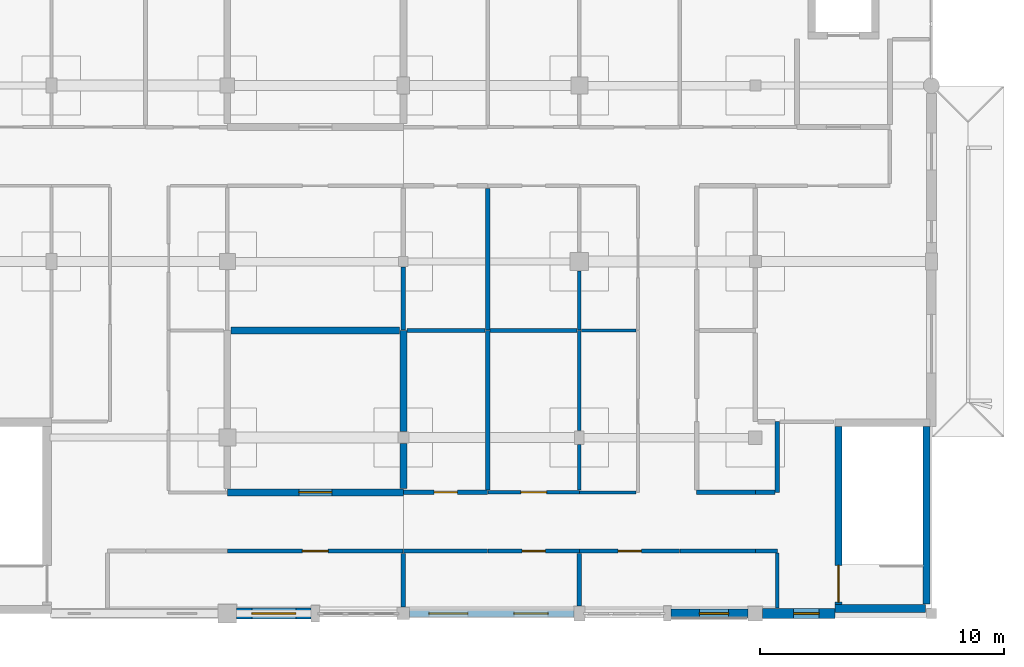
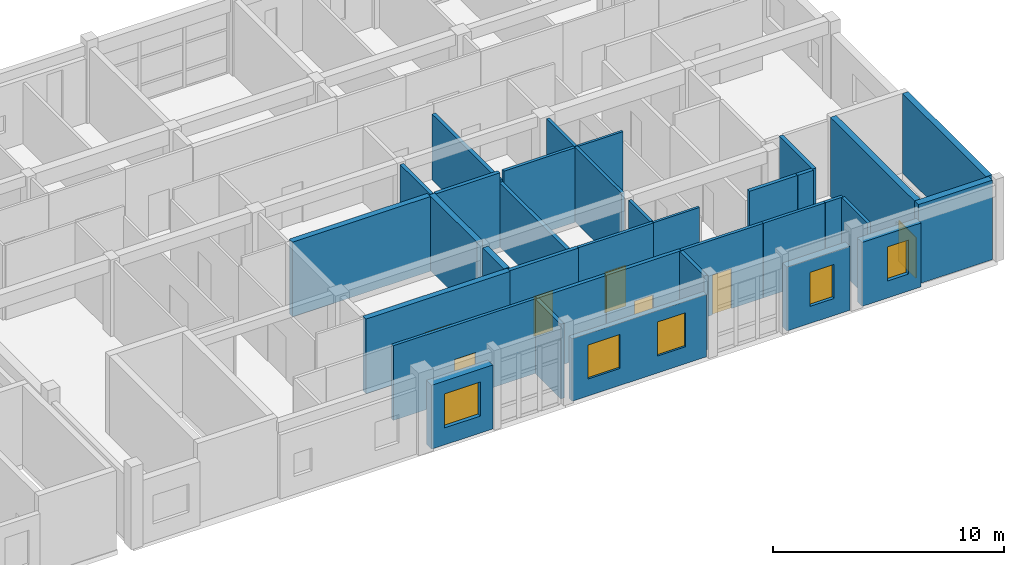
# One storey, part 92 of 110: 35 walls, 7 doors, 5 windows, 12 openings.
"""IFC4 building model written with IfcOpenShell, lengths in metres."""

from ifc_helpers import new_model, si_unit, direction, frame, frame_2d, origin, place, context, subcontext, project, spatial, rectangle, extrude, material, layer, layer_set, type_object, element, fill, save


model = new_model("IFC4")

# Units and contexts
model_context = context("Model", 3, precision=1e-05, world=origin(), true_north=direction((0.0, 1.0)))
body_context = subcontext(model_context, "Body", "Model", "MODEL_VIEW")
ifc_project = project(units=[si_unit("LENGTHUNIT", "METRE"), si_unit("AREAUNIT", "SQUARE_METRE"), si_unit("VOLUMEUNIT", "CUBIC_METRE"), si_unit("PLANEANGLEUNIT", "RADIAN"), si_unit("MASSUNIT", "GRAM", prefix="KILO")], contexts=[model_context])

# Site, building, storey
site_placement = place(None, origin())
site = spatial("IfcSite", under=ifc_project, at=site_placement, CompositionType="ELEMENT")
building_placement = place(site_placement, origin())
building = spatial("IfcBuilding", under=site, at=building_placement, Name="Steenspoor Specialist Clinic", CompositionType="ELEMENT")
storey_placement = place(building_placement, frame((0.0, 0.0, 4.800048828125)))
storey = spatial("IfcBuildingStorey", under=building, at=storey_placement, Name="L01", CompositionType="ELEMENT", Elevation=4.800048828125)

# Wall, opening, window
ifc_material_1 = material(Name="Extruded clay brick masonry", Category="masonry")
ifc_layer_1 = layer(ifc_material_1, 0.3798828125)
ifc_layer_set_1 = layer_set([ifc_layer_1], Name="Extruded clay brick masonry")
wall_type_1 = type_object("IfcWallType", Name="W-BRICK-380", PredefinedType="USERDEFINED", material=ifc_layer_set_1)
wall_1_placement = place(storey_placement, frame((153.699951171875, 13.050048828125, 0.0), z_axis=(0.0, 0.0, 1.0), x_axis=(-1.0, 0.0, 0.0)))
wall_1 = element("IfcWall", 1, at=wall_1_placement, inside=storey, type_object=wall_type_1, Name="Exterior Brick Wall EW-V2-L01-0057", ObjectType="CAVITY VENEER", PredefinedType="USERDEFINED", context=body_context, shape_type="SweptSolid", body=[
    extrude(rectangle(XDim=3.14990234375, YDim=0.3798828125, at=frame_2d((1.574951171875, 0.0))), origin(), (0.0, 0.0, 1.0), 3.3798828125),
])
opening_1_placement = place(wall_1_placement, frame((0.7900390625, 0.0, 0.89990234375)))
opening_1 = element("IfcOpeningElement", 2, at=opening_1_placement, cuts=wall_1, Name="Opening WN-05", PredefinedType="OPENING", context=body_context, shape_type="SweptSolid", body=[
    extrude(rectangle(XDim=1.199951171875, YDim=1.800048828125, at=frame_2d((0.60009765625, 0.89990234375))), frame((0.0, 0.199951171875, 0.0), z_axis=(0.0, -1.0, 0.0), x_axis=(1.0, 0.0, 0.0)), (0.0, 0.0, 1.0), 0.39990234375),
])
ifc_material_2 = material(Name="Thermally broken aluminium and low-emissivity glass", Category="aluminium")
window_type_1 = type_object("IfcWindowType", Name="WN-EXT-120X180", PartitioningType="SINGLE_PANEL", PredefinedType="WINDOW", material=ifc_material_2)
window_1_placement = place(opening_1_placement, origin())
window_1 = element("IfcWindow", 3, at=window_1_placement, inside=storey, type_object=window_type_1, Name="Window 0068", OverallHeight=1.800048828125, OverallWidth=1.199951171875, PartitioningType="SINGLE_PANEL", PredefinedType="WINDOW", context=body_context, shape_type="SweptSolid", body=[
    extrude(rectangle(XDim=1.199951171875, YDim=1.800048828125, at=frame_2d((0.60009765625, 0.89990234375))), frame((0.0, 0.030029296875, 0.0), z_axis=(0.0, -1.0, 0.0), x_axis=(1.0, 0.0, 0.0)), (0.0, 0.0, 1.0), 0.06005859375),
])
fill(opening_1, window_1)

ifc_layer_2 = layer(ifc_material_1, 0.409912109375)
ifc_layer_set_2 = layer_set([ifc_layer_2], Name="Extruded clay brick masonry")
wall_type_2 = type_object("IfcWallType", Name="W-BRICK-410", PredefinedType="USERDEFINED", material=ifc_layer_set_2)
wall_2_placement = place(storey_placement, frame((157.25, 13.050048828125, 0.0), z_axis=(0.0, 0.0, 1.0), x_axis=(-1.0, 0.0, 0.0)))
wall_2 = element("IfcWall", 4, at=wall_2_placement, inside=storey, type_object=wall_type_2, Name="Exterior Brick Wall EW-V2-L01-0056", ObjectType="CAVITY VENEER", PredefinedType="USERDEFINED", context=body_context, shape_type="SweptSolid", body=[
    extrude(rectangle(XDim=2.949951171875, YDim=0.409912109375, at=frame_2d((1.47509765625, 0.0))), origin(), (0.0, 0.0, 1.0), 3.3798828125),
])
opening_2_placement = place(wall_2_placement, frame((0.639892578125, 0.0, 0.89990234375)))
opening_2 = element("IfcOpeningElement", 5, at=opening_2_placement, cuts=wall_2, Name="Opening WN-04", PredefinedType="OPENING", context=body_context, shape_type="SweptSolid", body=[
    extrude(rectangle(XDim=1.050048828125, YDim=1.800048828125, at=frame_2d((0.52490234375, 0.89990234375))), frame((0.0, 0.21484375, 0.0), z_axis=(0.0, -1.0, 0.0), x_axis=(1.0, 0.0, 0.0)), (0.0, 0.0, 1.0), 0.429931640625),
])
window_type_2 = type_object("IfcWindowType", Name="WN-EXT-105X180", PartitioningType="SINGLE_PANEL", PredefinedType="WINDOW", material=ifc_material_2)
window_2_placement = place(opening_2_placement, origin())
window_2 = element("IfcWindow", 6, at=window_2_placement, inside=storey, type_object=window_type_2, Name="Window 0067", OverallHeight=1.800048828125, OverallWidth=1.050048828125, PartitioningType="SINGLE_PANEL", PredefinedType="WINDOW", context=body_context, shape_type="SweptSolid", body=[
    extrude(rectangle(XDim=1.050048828125, YDim=1.800048828125, at=frame_2d((0.52490234375, 0.89990234375))), frame((0.0, 0.030029296875, 0.0), z_axis=(0.0, -1.0, 0.0), x_axis=(1.0, 0.0, 0.0)), (0.0, 0.0, 1.0), 0.06005859375),
])
fill(opening_2, window_2)

ifc_layer_3 = layer(ifc_material_1, 0.43994140625)
ifc_layer_set_3 = layer_set([ifc_layer_3], Name="Extruded clay brick masonry")
wall_type_3 = type_object("IfcWallType", Name="W-BRICK-440", PredefinedType="USERDEFINED", material=ifc_layer_set_3)
wall_3_placement = place(storey_placement, frame((135.830078125, 13.050048828125, 0.0), z_axis=(0.0, 0.0, 1.0), x_axis=(-1.0, 0.0, 0.0)))
wall_3 = element("IfcWall", 7, at=wall_3_placement, inside=storey, type_object=wall_type_3, Name="Exterior Brick Wall EW-V2-L01-0059", ObjectType="CAVITY VENEER", PredefinedType="USERDEFINED", context=body_context, shape_type="SweptSolid", body=[
    extrude(rectangle(XDim=3.05517578125, YDim=0.43994140625, at=frame_2d((1.527587890625, 0.0))), origin(), (0.0, 0.0, 1.0), 3.3798828125),
])
opening_3_placement = place(wall_3_placement, frame((0.62744140625, 0.0, 0.89990234375)))
opening_3 = element("IfcOpeningElement", 8, at=opening_3_placement, cuts=wall_3, Name="Opening WN-08", PredefinedType="OPENING", context=body_context, shape_type="SweptSolid", body=[
    extrude(rectangle(XDim=1.800048828125, YDim=1.800048828125, at=frame_2d((0.89990234375, 0.89990234375))), frame((0.0, 0.22998046875, 0.0), z_axis=(0.0, -1.0, 0.0), x_axis=(1.0, 0.0, 0.0)), (0.0, 0.0, 1.0), 0.4599609375),
])
window_type_3 = type_object("IfcWindowType", Name="WN-EXT-180X180", PartitioningType="SINGLE_PANEL", PredefinedType="WINDOW", material=ifc_material_2)
window_3_placement = place(opening_3_placement, origin())
window_3 = element("IfcWindow", 9, at=window_3_placement, inside=storey, type_object=window_type_3, Name="Window 0071", OverallHeight=1.800048828125, OverallWidth=1.800048828125, PartitioningType="SINGLE_PANEL", PredefinedType="WINDOW", context=body_context, shape_type="SweptSolid", body=[
    extrude(rectangle(XDim=1.800048828125, YDim=1.800048828125, at=frame_2d((0.89990234375, 0.89990234375))), frame((0.0, 0.030029296875, 0.0), z_axis=(0.0, -1.0, 0.0), x_axis=(1.0, 0.0, 0.0)), (0.0, 0.0, 1.0), 0.06005859375),
])
fill(opening_3, window_3)

# Wall, opening, door
ifc_material_3 = material(Name="Gypsum acoustic clinical partition", Category="gypsum")
ifc_layer_4 = layer(ifc_material_3, 0.14990234375)
ifc_layer_set_4 = layer_set([ifc_layer_4], Name="Gypsum acoustic clinical partition")
wall_type_4 = type_object("IfcWallType", Name="W-CLIN-150", PredefinedType="PARTITIONING", material=ifc_layer_set_4)
wall_4_placement = place(storey_placement, frame((132.4150390625, 15.610107421875, 0.0), z_axis=(0.0, 0.0, 1.0), x_axis=(1.0, 0.0, 0.0)))
wall_4 = element("IfcWall", 10, at=wall_4_placement, inside=storey, type_object=wall_type_4, Name="Interior Partition IW-V2-L01-0865", PredefinedType="PARTITIONING", context=body_context, shape_type="SweptSolid", body=[
    extrude(rectangle(XDim=7.169921875, YDim=0.14990234375, at=frame_2d((3.5849609375, 0.0))), origin(), (0.0, 0.0, 1.0), 3.949951171875),
])
opening_4_placement = place(wall_4_placement, frame((3.06005859375, 0.0, 0.0)))
opening_4 = element("IfcOpeningElement", 11, at=opening_4_placement, cuts=wall_4, Name="Opening D0106", PredefinedType="OPENING", context=body_context, shape_type="SweptSolid", body=[
    extrude(rectangle(XDim=1.050048828125, YDim=2.14990234375, at=frame_2d((0.52490234375, 1.074951171875))), frame((0.0, 0.0849609375, 0.0), z_axis=(0.0, -1.0, 0.0), x_axis=(1.0, 0.0, 0.0)), (0.0, 0.0, 1.0), 0.169921875),
])
ifc_material_4 = material(Name="Solid-core hardwood office door", Category="wood")
door_type_1 = type_object("IfcDoorType", Name="DT-OFF-105X215", OperationType="NOTDEFINED", PredefinedType="DOOR", material=ifc_material_4)
door_1_placement = place(opening_4_placement, origin())
door_1 = element("IfcDoor", 12, at=door_1_placement, inside=storey, type_object=door_type_1, Name="Clinical Door D0106", OperationType="SINGLE_SWING_LEFT", OverallHeight=2.14990234375, OverallWidth=1.050048828125, PredefinedType="DOOR", context=body_context, shape_type="SweptSolid", body=[
    extrude(rectangle(XDim=1.050048828125, YDim=2.14990234375, at=frame_2d((0.52490234375, 1.074951171875))), frame((0.0, 0.02490234375, 0.0), z_axis=(0.0, -1.0, 0.0), x_axis=(1.0, 0.0, 0.0)), (0.0, 0.0, 1.0), 0.050048828125),
])
fill(opening_4, door_1)

wall_5_placement = place(storey_placement, frame((146.81494140625, 15.610107421875, 0.0), z_axis=(0.0, 0.0, 1.0), x_axis=(1.0, 0.0, 0.0)))
wall_5 = element("IfcWall", 13, at=wall_5_placement, inside=storey, type_object=wall_type_4, Name="Interior Partition IW-V2-L01-0867", PredefinedType="PARTITIONING", context=body_context, shape_type="SweptSolid", body=[
    extrude(rectangle(XDim=4.0849609375, YDim=0.14990234375, at=frame_2d((2.04248046875, 0.0))), origin(), (0.0, 0.0, 1.0), 3.949951171875),
])
opening_5_placement = place(wall_5_placement, frame((1.5673828125, 0.0, 0.0)))
opening_5 = element("IfcOpeningElement", 14, at=opening_5_placement, cuts=wall_5, Name="Opening D0108", PredefinedType="OPENING", context=body_context, shape_type="SweptSolid", body=[
    extrude(rectangle(XDim=0.949951171875, YDim=2.10009765625, at=frame_2d((0.47509765625, 1.050048828125))), frame((0.0, 0.0849609375, 0.0), z_axis=(0.0, -1.0, 0.0), x_axis=(1.0, 0.0, 0.0)), (0.0, 0.0, 1.0), 0.169921875),
])
ifc_material_5 = material(Name="Moisture-resistant HPL sanitary door", Category="wood")
door_type_2 = type_object("IfcDoorType", Name="DT-WC-095X210", OperationType="NOTDEFINED", PredefinedType="DOOR", material=ifc_material_5)
door_2_placement = place(opening_5_placement, origin())
door_2 = element("IfcDoor", 15, at=door_2_placement, inside=storey, type_object=door_type_2, Name="Clinical Door D0108", OperationType="SINGLE_SWING_LEFT", OverallHeight=2.10009765625, OverallWidth=0.949951171875, PredefinedType="DOOR", context=body_context, shape_type="SweptSolid", body=[
    extrude(rectangle(XDim=0.949951171875, YDim=2.10009765625, at=frame_2d((0.47509765625, 1.050048828125))), frame((0.0, 0.02490234375, 0.0), z_axis=(0.0, -1.0, 0.0), x_axis=(1.0, 0.0, 0.0)), (0.0, 0.0, 1.0), 0.050048828125),
])
fill(opening_5, door_2)

# Walls
wall_6_placement = place(storey_placement, frame((150.9150390625, 15.610107421875, 0.0), z_axis=(0.0, 0.0, 1.0), x_axis=(1.0, 0.0, 0.0)))
element("IfcWall", 16, at=wall_6_placement, inside=storey, type_object=wall_type_4, Name="Interior Partition IW-V2-L01-0868", PredefinedType="PARTITIONING", context=body_context, shape_type="SweptSolid", body=[
    extrude(rectangle(XDim=3.0849609375, YDim=0.14990234375, at=frame_2d((1.54248046875, 0.0))), origin(), (0.0, 0.0, 1.0), 3.949951171875),
])
wall_7_placement = place(storey_placement, frame((154.014892578125, 15.610107421875, 0.0), z_axis=(0.0, 0.0, 1.0), x_axis=(1.0, 0.0, 0.0)))
element("IfcWall", 17, at=wall_7_placement, inside=storey, type_object=wall_type_4, Name="Interior Partition IW-V2-L01-0869", PredefinedType="PARTITIONING", context=body_context, shape_type="SweptSolid", body=[
    extrude(rectangle(XDim=0.885009765625, YDim=0.14990234375, at=frame_2d((0.4423828125, 0.0))), origin(), (0.0, 0.0, 1.0), 3.949951171875),
])
wall_8_placement = place(storey_placement, frame((154.89990234375, 13.27001953125, 0.0), z_axis=(0.0, 0.0, 1.0), x_axis=(0.0, 1.0, 0.0)))
element("IfcWall", 18, at=wall_8_placement, inside=storey, type_object=wall_type_4, Name="Interior Partition IW-V2-L01-0870", PredefinedType="PARTITIONING", context=body_context, shape_type="SweptSolid", body=[
    extrude(rectangle(XDim=2.25, YDim=0.14990234375, at=frame_2d((1.125, 0.0))), origin(), (0.0, 0.0, 1.0), 3.949951171875),
])

# Wall, opening, door
wall_9_placement = place(storey_placement, frame((143.06494140625, 18.010009765625, 0.0), z_axis=(0.0, 0.0, 1.0), x_axis=(1.0, 0.0, 0.0)))
wall_9 = element("IfcWall", 19, at=wall_9_placement, inside=storey, type_object=wall_type_4, Name="Interior Partition IW-V2-L01-0871", PredefinedType="PARTITIONING", context=body_context, shape_type="SweptSolid", body=[
    extrude(rectangle(XDim=3.735107421875, YDim=0.14990234375, at=frame_2d((1.86767578125, 0.0))), origin(), (0.0, 0.0, 1.0), 3.949951171875),
])
opening_6_placement = place(wall_9_placement, frame((1.342529296875, 0.0, 0.0)))
opening_6 = element("IfcOpeningElement", 20, at=opening_6_placement, cuts=wall_9, Name="Opening D0112", PredefinedType="OPENING", context=body_context, shape_type="SweptSolid", body=[
    extrude(rectangle(XDim=1.050048828125, YDim=2.14990234375, at=frame_2d((0.52490234375, 1.074951171875))), frame((0.0, 0.0849609375, 0.0), z_axis=(0.0, -1.0, 0.0), x_axis=(1.0, 0.0, 0.0)), (0.0, 0.0, 1.0), 0.169921875),
])
door_3_placement = place(opening_6_placement, origin())
door_3 = element("IfcDoor", 21, at=door_3_placement, inside=storey, type_object=door_type_1, Name="Clinical Door D0112", OperationType="SINGLE_SWING_LEFT", OverallHeight=2.14990234375, OverallWidth=1.050048828125, PredefinedType="DOOR", context=body_context, shape_type="SweptSolid", body=[
    extrude(rectangle(XDim=1.050048828125, YDim=2.14990234375, at=frame_2d((0.52490234375, 1.074951171875))), frame((0.0, 0.02490234375, 0.0), z_axis=(0.0, -1.0, 0.0), x_axis=(1.0, 0.0, 0.0)), (0.0, 0.0, 1.0), 0.050048828125),
])
fill(opening_6, door_3)

# Walls
wall_10_placement = place(storey_placement, frame((146.800048828125, 18.10009765625, 0.0), z_axis=(0.0, 0.0, 1.0), x_axis=(0.0, 1.0, 0.0)))
element("IfcWall", 22, at=wall_10_placement, inside=storey, type_object=wall_type_4, Name="Interior Partition IW-V2-L01-1167", PredefinedType="PARTITIONING", context=body_context, shape_type="SweptSolid", body=[
    extrude(rectangle(XDim=1.85986328125, YDim=0.14990234375, at=frame_2d((0.929931640625, 0.0))), origin(), (0.0, 0.0, 1.0), 3.949951171875),
])
wall_11_placement = place(storey_placement, frame((146.800048828125, 20.5400390625, 0.0), z_axis=(0.0, 0.0, 1.0), x_axis=(0.0, 1.0, 0.0)))
element("IfcWall", 23, at=wall_11_placement, inside=storey, type_object=wall_type_4, Name="Interior Partition IW-V2-L01-1168", PredefinedType="PARTITIONING", context=body_context, shape_type="SweptSolid", body=[
    extrude(rectangle(XDim=4.08984375, YDim=0.14990234375, at=frame_2d((2.044921875, 0.0))), origin(), (0.0, 0.0, 1.0), 3.949951171875),
])
wall_12_placement = place(storey_placement, frame((143.155029296875, 24.6298828125, 0.0), z_axis=(0.0, 0.0, 1.0), x_axis=(1.0, 0.0, 0.0)))
element("IfcWall", 24, at=wall_12_placement, inside=storey, type_object=wall_type_4, Name="Interior Partition IW-V2-L01-1169", PredefinedType="PARTITIONING", context=body_context, shape_type="SweptSolid", body=[
    extrude(rectangle(XDim=3.554931640625, YDim=0.14990234375, at=frame_2d((1.77734375, 0.0))), origin(), (0.0, 0.0, 1.0), 3.949951171875),
])
wall_13_placement = place(storey_placement, frame((146.800048828125, 24.64501953125, 0.0), z_axis=(0.0, 0.0, 1.0), x_axis=(0.0, 1.0, 0.0)))
element("IfcWall", 25, at=wall_13_placement, inside=storey, type_object=wall_type_4, Name="Interior Partition IW-V2-L01-1173", PredefinedType="PARTITIONING", context=body_context, shape_type="SweptSolid", body=[
    extrude(rectangle(XDim=2.4150390625, YDim=0.14990234375, at=frame_2d((1.20751953125, 0.0))), origin(), (0.0, 0.0, 1.0), 3.949951171875),
])
ifc_material_6 = material(Name="Concrete C40/50", Category="concrete")
ifc_layer_5 = layer(ifc_material_6, 0.330078125)
ifc_layer_set_5 = layer_set([ifc_layer_5], Name="Concrete C40/50")
wall_type_5 = type_object("IfcWallType", Name="W-ESW-330", PredefinedType="SHEAR", material=ifc_layer_set_5)
wall_14_placement = place(storey_placement, frame((157.25, 13.25, 0.0), z_axis=(0.0, 0.0, 1.0), x_axis=(1.0, 0.0, 0.0)))
element("IfcWall", 26, at=wall_14_placement, inside=storey, type_object=wall_type_5, Name="Core Shear Wall SW-ST-V2B-L01-S", PredefinedType="SHEAR", context=body_context, shape_type="SweptSolid", body=[
    extrude(rectangle(XDim=3.699951171875, YDim=0.330078125, at=frame_2d((1.85009765625, 0.0))), origin(), (0.0, 0.0, 1.0), 4.199951171875),
])
ifc_material_7 = material(Name="Gypsum studio partition board", Category="gypsum")
ifc_layer_6 = layer(ifc_material_7, 0.1201171875)
ifc_layer_set_6 = layer_set([ifc_layer_6], Name="Gypsum studio partition board")
wall_type_6 = type_object("IfcWallType", Name="W-PART-120", PredefinedType="PARTITIONING", material=ifc_layer_set_6)
wall_15_placement = place(storey_placement, frame((146.81494140625, 18.010009765625, 0.0), z_axis=(0.0, 0.0, 1.0), x_axis=(1.0, 0.0, 0.0)))
element("IfcWall", 27, at=wall_15_placement, inside=storey, type_object=wall_type_6, Name="Interior Partition IW-V2-L01-0963", PredefinedType="PARTITIONING", context=body_context, shape_type="SweptSolid", body=[
    extrude(rectangle(XDim=2.31005859375, YDim=0.1201171875, at=frame_2d((1.155029296875, 0.0))), origin(), (0.0, 0.0, 1.0), 3.949951171875),
])
wall_16_placement = place(storey_placement, frame((146.889892578125, 24.6298828125, 0.0), z_axis=(0.0, 0.0, 1.0), x_axis=(1.0, 0.0, 0.0)))
element("IfcWall", 28, at=wall_16_placement, inside=storey, type_object=wall_type_6, Name="Interior Partition IW-V2-L01-1223", PredefinedType="PARTITIONING", context=body_context, shape_type="SweptSolid", body=[
    extrude(rectangle(XDim=2.235107421875, YDim=0.1201171875, at=frame_2d((1.11767578125, 0.0))), origin(), (0.0, 0.0, 1.0), 3.949951171875),
])
ifc_material_8 = material(Name="Moisture-resistant gypsum plumbing wall", Category="gypsum")
ifc_layer_7 = layer(ifc_material_8, 0.179931640625)
ifc_layer_set_7 = layer_set([ifc_layer_7], Name="Moisture-resistant gypsum plumbing wall")
wall_type_7 = type_object("IfcWallType", Name="W-PLUMB-180", PredefinedType="PLUMBINGWALL", material=ifc_layer_set_7)
wall_17_placement = place(storey_placement, frame((139.60009765625, 15.610107421875, 0.0), z_axis=(0.0, 0.0, 1.0), x_axis=(1.0, 0.0, 0.0)))
element("IfcWall", 29, at=wall_17_placement, inside=storey, type_object=wall_type_7, Name="Interior Partition IW-V2-L01-0750", PredefinedType="PLUMBINGWALL", context=body_context, shape_type="SweptSolid", body=[
    extrude(rectangle(XDim=3.449951171875, YDim=0.179931640625, at=frame_2d((1.72509765625, 0.0))), origin(), (0.0, 0.0, 1.0), 3.949951171875),
])

# Wall, opening, door
wall_18_placement = place(storey_placement, frame((143.06494140625, 15.610107421875, 0.0), z_axis=(0.0, 0.0, 1.0), x_axis=(1.0, 0.0, 0.0)))
wall_18 = element("IfcWall", 30, at=wall_18_placement, inside=storey, type_object=wall_type_7, Name="Interior Partition IW-V2-L01-0751", PredefinedType="PLUMBINGWALL", context=body_context, shape_type="SweptSolid", body=[
    extrude(rectangle(XDim=3.735107421875, YDim=0.179931640625, at=frame_2d((1.86767578125, 0.0))), origin(), (0.0, 0.0, 1.0), 3.949951171875),
])
opening_7_placement = place(wall_18_placement, frame((1.392578125, 0.0, 0.0)))
opening_7 = element("IfcOpeningElement", 31, at=opening_7_placement, cuts=wall_18, Name="Opening D0107", PredefinedType="OPENING", context=body_context, shape_type="SweptSolid", body=[
    extrude(rectangle(XDim=0.949951171875, YDim=2.10009765625, at=frame_2d((0.47509765625, 1.050048828125))), frame((0.0, 0.10009765625, 0.0), z_axis=(0.0, -1.0, 0.0), x_axis=(1.0, 0.0, 0.0)), (0.0, 0.0, 1.0), 0.199951171875),
])
door_4_placement = place(opening_7_placement, origin())
door_4 = element("IfcDoor", 32, at=door_4_placement, inside=storey, type_object=door_type_2, Name="Clinical Door D0107", OperationType="SINGLE_SWING_RIGHT", OverallHeight=2.10009765625, OverallWidth=0.949951171875, PredefinedType="DOOR", context=body_context, shape_type="SweptSolid", body=[
    extrude(rectangle(XDim=0.949951171875, YDim=2.10009765625, at=frame_2d((0.47509765625, 1.050048828125))), frame((0.0, 0.02490234375, 0.0), z_axis=(0.0, -1.0, 0.0), x_axis=(1.0, 0.0, 0.0)), (0.0, 0.0, 1.0), 0.050048828125),
])
fill(opening_7, door_4)

wall_19_placement = place(storey_placement, frame((139.614990234375, 18.010009765625, 0.0), z_axis=(0.0, 0.0, 1.0), x_axis=(1.0, 0.0, 0.0)))
wall_19 = element("IfcWall", 33, at=wall_19_placement, inside=storey, type_object=wall_type_7, Name="Interior Partition IW-V2-L01-0752", PredefinedType="PLUMBINGWALL", context=body_context, shape_type="SweptSolid", body=[
    extrude(rectangle(XDim=3.43505859375, YDim=0.179931640625, at=frame_2d((1.717529296875, 0.0))), origin(), (0.0, 0.0, 1.0), 3.949951171875),
])
opening_8_placement = place(wall_19_placement, frame((1.242431640625, 0.0, 0.0)))
opening_8 = element("IfcOpeningElement", 34, at=opening_8_placement, cuts=wall_19, Name="Opening D0111", PredefinedType="OPENING", context=body_context, shape_type="SweptSolid", body=[
    extrude(rectangle(XDim=0.949951171875, YDim=2.10009765625, at=frame_2d((0.47509765625, 1.050048828125))), frame((0.0, 0.10009765625, 0.0), z_axis=(0.0, -1.0, 0.0), x_axis=(1.0, 0.0, 0.0)), (0.0, 0.0, 1.0), 0.199951171875),
])
door_5_placement = place(opening_8_placement, origin())
door_5 = element("IfcDoor", 35, at=door_5_placement, inside=storey, type_object=door_type_2, Name="Clinical Door D0111", OperationType="SINGLE_SWING_RIGHT", OverallHeight=2.10009765625, OverallWidth=0.949951171875, PredefinedType="DOOR", context=body_context, shape_type="SweptSolid", body=[
    extrude(rectangle(XDim=0.949951171875, YDim=2.10009765625, at=frame_2d((0.47509765625, 1.050048828125))), frame((0.0, 0.02490234375, 0.0), z_axis=(0.0, -1.0, 0.0), x_axis=(1.0, 0.0, 0.0)), (0.0, 0.0, 1.0), 0.050048828125),
])
fill(opening_8, door_5)

# Walls
wall_20_placement = place(storey_placement, frame((151.60009765625, 18.010009765625, 0.0), z_axis=(0.0, 0.0, 1.0), x_axis=(1.0, 0.0, 0.0)))
element("IfcWall", 36, at=wall_20_placement, inside=storey, type_object=wall_type_7, Name="Interior Partition IW-V2-L01-0753", PredefinedType="PLUMBINGWALL", context=body_context, shape_type="SweptSolid", body=[
    extrude(rectangle(XDim=2.39990234375, YDim=0.179931640625, at=frame_2d((1.199951171875, 0.0))), origin(), (0.0, 0.0, 1.0), 3.949951171875),
])
wall_21_placement = place(storey_placement, frame((154.89990234375, 18.010009765625, 0.0), z_axis=(0.0, 0.0, 1.0), x_axis=(0.0, 1.0, 0.0)))
element("IfcWall", 37, at=wall_21_placement, inside=storey, type_object=wall_type_7, Name="Interior Partition IW-V2-L01-0755", PredefinedType="PLUMBINGWALL", context=body_context, shape_type="SweptSolid", body=[
    extrude(rectangle(XDim=2.889892578125, YDim=0.179931640625, at=frame_2d((1.44482421875, 0.0))), origin(), (0.0, 0.0, 1.0), 3.949951171875),
])
wall_22_placement = place(storey_placement, frame((154.014892578125, 18.010009765625, 0.0), z_axis=(0.0, 0.0, 1.0), x_axis=(1.0, 0.0, 0.0)))
element("IfcWall", 38, at=wall_22_placement, inside=storey, type_object=wall_type_7, Name="Interior Partition IW-V2-L01-0756", PredefinedType="PLUMBINGWALL", context=body_context, shape_type="SweptSolid", body=[
    extrude(rectangle(XDim=0.780029296875, YDim=0.179931640625, at=frame_2d((0.39013671875, 0.0))), origin(), (0.0, 0.0, 1.0), 3.949951171875),
])
wall_23_placement = place(storey_placement, frame((139.60009765625, 13.31494140625, 0.0), z_axis=(0.0, 0.0, 1.0), x_axis=(0.0, 1.0, 0.0)))
element("IfcWall", 39, at=wall_23_placement, inside=storey, type_object=wall_type_7, Name="Interior Partition IW-V2-L01-1081", PredefinedType="PLUMBINGWALL", context=body_context, shape_type="SweptSolid", body=[
    extrude(rectangle(XDim=2.18994140625, YDim=0.179931640625, at=frame_2d((1.094970703125, 0.0))), origin(), (0.0, 0.0, 1.0), 3.949951171875),
])
wall_24_placement = place(storey_placement, frame((146.800048828125, 13.364990234375, 0.0), z_axis=(0.0, 0.0, 1.0), x_axis=(0.0, 1.0, 0.0)))
element("IfcWall", 40, at=wall_24_placement, inside=storey, type_object=wall_type_7, Name="Interior Partition IW-V2-L01-1082", PredefinedType="PLUMBINGWALL", context=body_context, shape_type="SweptSolid", body=[
    extrude(rectangle(XDim=2.139892578125, YDim=0.179931640625, at=frame_2d((1.06982421875, 0.0))), origin(), (0.0, 0.0, 1.0), 3.949951171875),
])
wall_25_placement = place(storey_placement, frame((143.050048828125, 18.114990234375, 0.0), z_axis=(0.0, 0.0, 1.0), x_axis=(0.0, 1.0, 0.0)))
element("IfcWall", 41, at=wall_25_placement, inside=storey, type_object=wall_type_7, Name="Interior Partition IW-V2-L01-1083", PredefinedType="PLUMBINGWALL", context=body_context, shape_type="SweptSolid", body=[
    extrude(rectangle(XDim=6.514892578125, YDim=0.179931640625, at=frame_2d((3.25732421875, 0.0))), origin(), (0.0, 0.0, 1.0), 3.369873046875),
])
wall_26_placement = place(storey_placement, frame((139.7548828125, 24.6298828125, 0.0), z_axis=(0.0, 0.0, 1.0), x_axis=(1.0, 0.0, 0.0)))
element("IfcWall", 42, at=wall_26_placement, inside=storey, type_object=wall_type_7, Name="Interior Partition IW-V2-L01-1084", PredefinedType="PLUMBINGWALL", context=body_context, shape_type="SweptSolid", body=[
    extrude(rectangle(XDim=3.190185546875, YDim=0.179931640625, at=frame_2d((1.59521484375, 0.0))), origin(), (0.0, 0.0, 1.0), 3.949951171875),
])
wall_27_placement = place(storey_placement, frame((139.60009765625, 24.64501953125, 0.0), z_axis=(0.0, 0.0, 1.0), x_axis=(0.0, 1.0, 0.0)))
element("IfcWall", 43, at=wall_27_placement, inside=storey, type_object=wall_type_7, Name="Interior Partition IW-V2-L01-1090", PredefinedType="PLUMBINGWALL", context=body_context, shape_type="SweptSolid", body=[
    extrude(rectangle(XDim=2.590087890625, YDim=0.179931640625, at=frame_2d((1.294921875, 0.0))), origin(), (0.0, 0.0, 1.0), 3.949951171875),
])
wall_28_placement = place(storey_placement, frame((143.050048828125, 24.64501953125, 0.0), z_axis=(0.0, 0.0, 1.0), x_axis=(0.0, 1.0, 0.0)))
element("IfcWall", 44, at=wall_28_placement, inside=storey, type_object=wall_type_7, Name="Interior Partition IW-V2-L01-1092", PredefinedType="PLUMBINGWALL", context=body_context, shape_type="SweptSolid", body=[
    extrude(rectangle(XDim=5.800048828125, YDim=0.179931640625, at=frame_2d((2.89990234375, 0.0))), origin(), (0.0, 0.0, 1.0), 3.469970703125),
])

# Wall, opening, door
ifc_material_9 = material(Name="Lead-lined radiation brick partition", Category="masonry")
ifc_layer_8 = layer(ifc_material_9, 0.280029296875)
ifc_layer_set_8 = layer_set([ifc_layer_8], Name="Lead-lined radiation brick partition")
wall_type_8 = type_object("IfcWallType", Name="W-RAD-280", PredefinedType="PARTITIONING", material=ifc_layer_set_8)
wall_29_placement = place(storey_placement, frame((132.39990234375, 18.010009765625, 0.0), z_axis=(0.0, 0.0, 1.0), x_axis=(1.0, 0.0, 0.0)))
wall_29 = element("IfcWall", 45, at=wall_29_placement, inside=storey, type_object=wall_type_8, Name="Interior Partition IW-V2-L01-0696", PredefinedType="PARTITIONING", context=body_context, shape_type="SweptSolid", body=[
    extrude(rectangle(XDim=7.2001953125, YDim=0.280029296875, at=frame_2d((3.60009765625, 0.0))), origin(), (0.0, 0.0, 1.0), 3.949951171875),
])
opening_9_placement = place(wall_29_placement, frame((2.925048828125, 0.0, 0.0)))
opening_9 = element("IfcOpeningElement", 46, at=opening_9_placement, cuts=wall_29, Name="Opening D0110", PredefinedType="OPENING", context=body_context, shape_type="SweptSolid", body=[
    extrude(rectangle(XDim=1.35009765625, YDim=2.199951171875, at=frame_2d((0.675048828125, 1.10009765625))), frame((0.0, 0.14990234375, 0.0), z_axis=(0.0, -1.0, 0.0), x_axis=(1.0, 0.0, 0.0)), (0.0, 0.0, 1.0), 0.300048828125),
])
ifc_material_10 = material(Name="Lead-lined radiation clinical door", Category="steel")
door_type_3 = type_object("IfcDoorType", Name="DT-RAD-135X220", OperationType="NOTDEFINED", PredefinedType="DOOR", material=ifc_material_10)
door_6_placement = place(opening_9_placement, origin())
door_6 = element("IfcDoor", 47, at=door_6_placement, inside=storey, type_object=door_type_3, Name="Clinical Door D0110", OperationType="SINGLE_SWING_LEFT", OverallHeight=2.199951171875, OverallWidth=1.35009765625, PredefinedType="DOOR", context=body_context, shape_type="SweptSolid", body=[
    extrude(rectangle(XDim=1.35009765625, YDim=2.199951171875, at=frame_2d((0.675048828125, 1.10009765625))), frame((0.0, 0.02490234375, 0.0), z_axis=(0.0, -1.0, 0.0), x_axis=(1.0, 0.0, 0.0)), (0.0, 0.0, 1.0), 0.050048828125),
])
fill(opening_9, door_6)

# Walls
wall_30_placement = place(storey_placement, frame((139.60009765625, 18.1650390625, 0.0), z_axis=(0.0, 0.0, 1.0), x_axis=(0.0, 1.0, 0.0)))
element("IfcWall", 48, at=wall_30_placement, inside=storey, type_object=wall_type_8, Name="Interior Partition IW-V2-L01-1030", PredefinedType="PARTITIONING", context=body_context, shape_type="SweptSolid", body=[
    extrude(rectangle(XDim=1.844970703125, YDim=0.280029296875, at=frame_2d((0.92236328125, 0.0))), origin(), (0.0, 0.0, 1.0), 3.949951171875),
])
wall_31_placement = place(storey_placement, frame((139.60009765625, 20.489990234375, 0.0), z_axis=(0.0, 0.0, 1.0), x_axis=(0.0, 1.0, 0.0)))
element("IfcWall", 49, at=wall_31_placement, inside=storey, type_object=wall_type_8, Name="Interior Partition IW-V2-L01-1031", PredefinedType="PARTITIONING", context=body_context, shape_type="SweptSolid", body=[
    extrude(rectangle(XDim=4.139892578125, YDim=0.280029296875, at=frame_2d((2.06982421875, 0.0))), origin(), (0.0, 0.0, 1.0), 3.949951171875),
])
wall_32_placement = place(storey_placement, frame((132.554931640625, 24.6298828125, 0.0), z_axis=(0.0, 0.0, 1.0), x_axis=(1.0, 0.0, 0.0)))
element("IfcWall", 50, at=wall_32_placement, inside=storey, type_object=wall_type_8, Name="Interior Partition IW-V2-L01-1032", PredefinedType="PARTITIONING", context=body_context, shape_type="SweptSolid", body=[
    extrude(rectangle(XDim=6.89013671875, YDim=0.280029296875, at=frame_2d((3.445068359375, 0.0))), origin(), (0.0, 0.0, 1.0), 3.949951171875),
])

# Wall, openings, windows
ifc_layer_9 = layer(ifc_material_1, 0.260009765625)
ifc_layer_set_9 = layer_set([ifc_layer_9], Name="Extruded clay brick masonry")
wall_type_9 = type_object("IfcWallType", Name="W-SCREEN-260", PredefinedType="SOLIDWALL", material=ifc_layer_set_9)
wall_33_placement = place(storey_placement, frame((146.574951171875, 13.050048828125, 0.0), z_axis=(0.0, 0.0, 1.0), x_axis=(-1.0, 0.0, 0.0)))
wall_33 = element("IfcWall", 51, at=wall_33_placement, inside=storey, type_object=wall_type_9, Name="Exterior Brick Wall EW-V2-L01-0058", PredefinedType="SOLIDWALL", context=body_context, shape_type="SweptSolid", body=[
    extrude(rectangle(XDim=6.724853515625, YDim=0.260009765625, at=frame_2d((3.3623046875, 0.0))), origin(), (0.0, 0.0, 1.0), 3.300048828125),
])
opening_10_placement = place(wall_33_placement, frame((1.052490234375, 0.0, 0.89990234375)))
opening_10 = element("IfcOpeningElement", 52, at=opening_10_placement, cuts=wall_33, Name="Opening WN-06", PredefinedType="OPENING", context=body_context, shape_type="SweptSolid", body=[
    extrude(rectangle(XDim=1.39990234375, YDim=1.800048828125, at=frame_2d((0.699951171875, 0.89990234375))), frame((0.0, 0.14013671875, 0.0), z_axis=(0.0, -1.0, 0.0), x_axis=(1.0, 0.0, 0.0)), (0.0, 0.0, 1.0), 0.280029296875),
])
opening_11_placement = place(wall_33_placement, frame((4.3349609375, 0.0, 0.89990234375)))
opening_11 = element("IfcOpeningElement", 53, at=opening_11_placement, cuts=wall_33, Name="Opening WN-07", PredefinedType="OPENING", context=body_context, shape_type="SweptSolid", body=[
    extrude(rectangle(XDim=1.60009765625, YDim=1.800048828125, at=frame_2d((0.800048828125, 0.89990234375))), frame((0.0, 0.14013671875, 0.0), z_axis=(0.0, -1.0, 0.0), x_axis=(1.0, 0.0, 0.0)), (0.0, 0.0, 1.0), 0.280029296875),
])
window_type_4 = type_object("IfcWindowType", Name="WN-EXT-140X180", PartitioningType="SINGLE_PANEL", PredefinedType="WINDOW", material=ifc_material_2)
window_4_placement = place(opening_10_placement, origin())
window_4 = element("IfcWindow", 54, at=window_4_placement, inside=storey, type_object=window_type_4, Name="Window 0069", OverallHeight=1.800048828125, OverallWidth=1.39990234375, PartitioningType="SINGLE_PANEL", PredefinedType="WINDOW", context=body_context, shape_type="SweptSolid", body=[
    extrude(rectangle(XDim=1.39990234375, YDim=1.800048828125, at=frame_2d((0.699951171875, 0.89990234375))), frame((0.0, 0.030029296875, 0.0), z_axis=(0.0, -1.0, 0.0), x_axis=(1.0, 0.0, 0.0)), (0.0, 0.0, 1.0), 0.06005859375),
])
fill(opening_10, window_4)
window_type_5 = type_object("IfcWindowType", Name="WN-EXT-160X180", PartitioningType="SINGLE_PANEL", PredefinedType="WINDOW", material=ifc_material_2)
window_5_placement = place(opening_11_placement, origin())
window_5 = element("IfcWindow", 55, at=window_5_placement, inside=storey, type_object=window_type_5, Name="Window 0070", OverallHeight=1.800048828125, OverallWidth=1.60009765625, PartitioningType="SINGLE_PANEL", PredefinedType="WINDOW", context=body_context, shape_type="SweptSolid", body=[
    extrude(rectangle(XDim=1.60009765625, YDim=1.800048828125, at=frame_2d((0.800048828125, 0.89990234375))), frame((0.0, 0.030029296875, 0.0), z_axis=(0.0, -1.0, 0.0), x_axis=(1.0, 0.0, 0.0)), (0.0, 0.0, 1.0), 0.06005859375),
])
fill(opening_11, window_5)

# Wall, opening, door
ifc_layer_10 = layer(ifc_material_6, 0.300048828125)
ifc_layer_set_10 = layer_set([ifc_layer_10], Name="Concrete C40/50")
wall_type_10 = type_object("IfcWallType", Name="W-SW-300", PredefinedType="SHEAR", material=ifc_layer_set_10)
wall_34_placement = place(storey_placement, frame((157.39990234375, 13.39990234375, 0.0), z_axis=(0.0, 0.0, 1.0), x_axis=(0.0, 1.0, 0.0)))
wall_34 = element("IfcWall", 56, at=wall_34_placement, inside=storey, type_object=wall_type_10, Name="Core Shear Wall SW-ST-V2B-L01-W", PredefinedType="SHEAR", context=body_context, shape_type="SweptSolid", body=[
    extrude(rectangle(XDim=7.300048828125, YDim=0.300048828125, at=frame_2d((3.64990234375, 0.0))), origin(), (0.0, 0.0, 1.0), 4.199951171875),
])
opening_12_placement = place(wall_34_placement, frame((0.1201171875, 0.0, 0.0)))
opening_12 = element("IfcOpeningElement", 57, at=opening_12_placement, cuts=wall_34, Name="Opening SD008", PredefinedType="OPENING", context=body_context, shape_type="SweptSolid", body=[
    extrude(rectangle(XDim=1.5, YDim=2.14990234375, at=frame_2d((0.75, 1.074951171875))), frame((0.0, 0.16015625, 0.0), z_axis=(0.0, -1.0, 0.0), x_axis=(1.0, 0.0, 0.0)), (0.0, 0.0, 1.0), 0.320068359375),
])
ifc_material_11 = material(Name="Fire-rated steel acoustic door", Category="steel")
door_type_4 = type_object("IfcDoorType", Name="DT-STAIR-150X215", OperationType="NOTDEFINED", PredefinedType="DOOR", material=ifc_material_11)
door_7_placement = place(opening_12_placement, origin())
door_7 = element("IfcDoor", 58, at=door_7_placement, inside=storey, type_object=door_type_4, Name="Exit Stair Fire Door SD008", OperationType="SINGLE_SWING_LEFT", OverallHeight=2.14990234375, OverallWidth=1.5, PredefinedType="DOOR", context=body_context, shape_type="SweptSolid", body=[
    extrude(rectangle(XDim=1.5, YDim=2.14990234375, at=frame_2d((0.75, 1.074951171875))), frame((0.0, 0.02490234375, 0.0), z_axis=(0.0, -1.0, 0.0), x_axis=(1.0, 0.0, 0.0)), (0.0, 0.0, 1.0), 0.050048828125),
])
fill(opening_12, door_7)

# Wall
wall_35_placement = place(storey_placement, frame((161.0, 13.449951171875, 0.0), z_axis=(0.0, 0.0, 1.0), x_axis=(0.0, 1.0, 0.0)))
element("IfcWall", 59, at=wall_35_placement, inside=storey, type_object=wall_type_10, Name="Core Shear Wall SW-ST-V2B-L01-E", PredefinedType="SHEAR", context=body_context, shape_type="SweptSolid", body=[
    extrude(rectangle(XDim=7.25, YDim=0.300048828125, at=frame_2d((3.625, 0.0))), origin(), (0.0, 0.0, 1.0), 4.199951171875),
])

save(model, "model.ifc")
